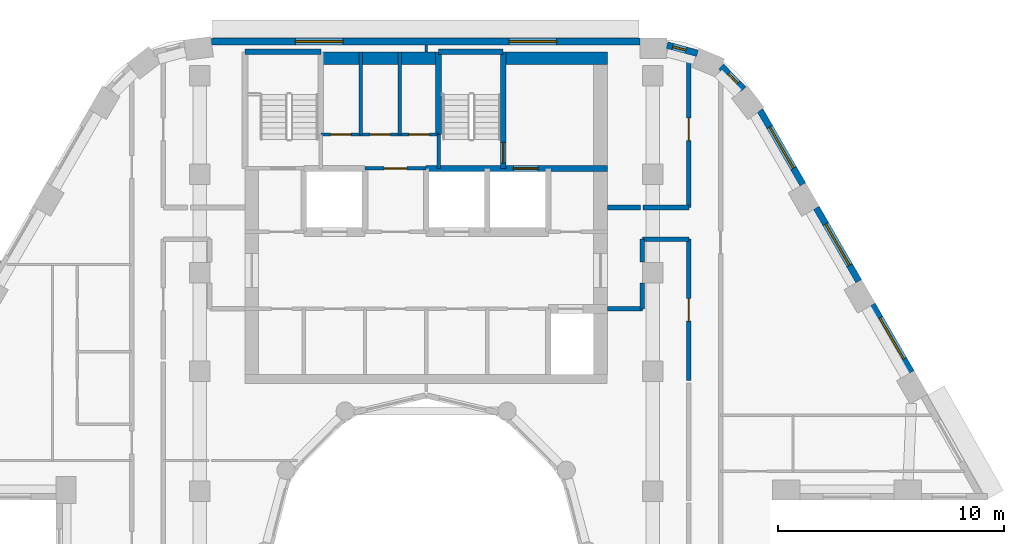
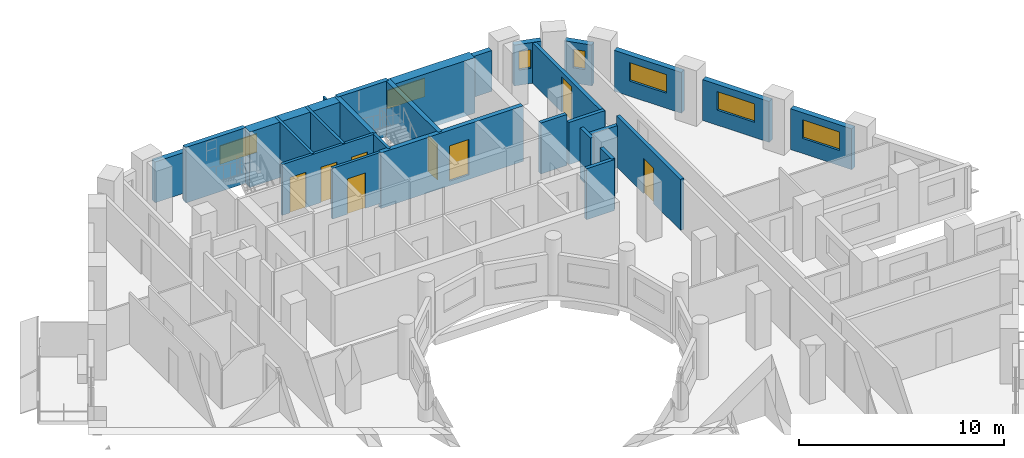
# One storey, part 9 of 17: 27 walls, 8 doors, 7 windows, 15 openings.
"""IFC4 building model written with IfcOpenShell, lengths in metres."""

from ifc_helpers import new_model, si_unit, direction, frame, frame_2d, origin, place, context, subcontext, project, spatial, rectangle, extrude, material, layer, layer_set, type_object, element, fill, save


model = new_model("IFC4")

# Units and contexts
model_context = context("Model", 3, precision=1e-05, world=origin(), true_north=direction((0.0, 1.0)))
body_context = subcontext(model_context, "Body", "Model", "MODEL_VIEW")
ifc_project = project(units=[si_unit("LENGTHUNIT", "METRE"), si_unit("AREAUNIT", "SQUARE_METRE"), si_unit("VOLUMEUNIT", "CUBIC_METRE"), si_unit("PLANEANGLEUNIT", "RADIAN"), si_unit("MASSUNIT", "GRAM", prefix="KILO")], contexts=[model_context])

# Site, building, storey
site_placement = place(None, origin())
site = spatial("IfcSite", under=ifc_project, at=site_placement, CompositionType="ELEMENT")
building_placement = place(site_placement, origin())
building = spatial("IfcBuilding", under=site, at=building_placement, Name="Nakaniwa Court", CompositionType="ELEMENT")
storey_placement = place(building_placement, frame((0.0, 0.0, 206.39990234375)))
storey = spatial("IfcBuildingStorey", under=building, at=storey_placement, Name="L54", CompositionType="ELEMENT", Elevation=206.39990234375)

# Wall, opening, door
ifc_material_1 = material(Name="Acoustic double stud partition")
ifc_layer_1 = layer(ifc_material_1, 0.199951171875)
ifc_layer_set_1 = layer_set([ifc_layer_1], Name="Acoustic double stud partition")
wall_type_1 = type_object("IfcWallType", Name="Acoustic double stud partition 200", PredefinedType="PARTITIONING", material=ifc_layer_set_1)
wall_1_placement = place(storey_placement, frame((91.60009765625, 87.537109375, 0.0), z_axis=(0.0, 0.0, 1.0), x_axis=(0.0, 1.0, 0.0)))
wall_1 = element("IfcWall", 1, at=wall_1_placement, inside=storey, type_object=wall_type_1, Name="Partition PW-078", PredefinedType="PARTITIONING", context=body_context, shape_type="SweptSolid", body=[
    extrude(rectangle(XDim=6.23779296875, YDim=0.199951171875, at=frame_2d((3.118896484375, 0.0))), origin(), (0.0, 0.0, 1.0), 3.025146484375),
])
opening_1_placement = place(wall_1_placement, frame((2.6201171875, 0.0, 0.0)))
opening_1 = element("IfcOpeningElement", 2, at=opening_1_placement, cuts=wall_1, Name="Opening D-02-08", PredefinedType="OPENING", context=body_context, shape_type="SweptSolid", body=[
    extrude(rectangle(XDim=1.0, YDim=2.10009765625, at=frame_2d((0.5, 1.050048828125))), frame((0.0, 0.10986328125, 0.0), z_axis=(0.0, -1.0, 0.0), x_axis=(1.0, 0.0, 0.0)), (0.0, 0.0, 1.0), 0.219970703125),
])
ifc_material_2 = material(Name="Solid core timber door set, black veneer", Category="wood")
door_type_1 = type_object("IfcDoorType", Name="Internal door 1000", OperationType="NOTDEFINED", PredefinedType="DOOR", material=ifc_material_2)
door_1_placement = place(opening_1_placement, origin())
door_1 = element("IfcDoor", 3, at=door_1_placement, inside=storey, type_object=door_type_1, Name="Door D-02-08 L54-057", OperationType="SINGLE_SWING_RIGHT", OverallHeight=2.10009765625, OverallWidth=1.0, PredefinedType="DOOR", context=body_context, shape_type="SweptSolid", body=[
    extrude(rectangle(XDim=1.0, YDim=2.10009765625, at=frame_2d((0.5, 1.050048828125))), frame((0.0, 0.02490234375, 0.0), z_axis=(0.0, -1.0, 0.0), x_axis=(1.0, 0.0, 0.0)), (0.0, 0.0, 1.0), 0.050048828125),
])
fill(opening_1, door_1)

wall_2_placement = place(storey_placement, frame((91.60009765625, 95.175048828125, 0.0), z_axis=(0.0, 0.0, 1.0), x_axis=(0.0, 1.0, 0.0)))
wall_2 = element("IfcWall", 4, at=wall_2_placement, inside=storey, type_object=wall_type_1, Name="Partition PW-079", PredefinedType="PARTITIONING", context=body_context, shape_type="SweptSolid", body=[
    extrude(rectangle(XDim=6.898681640625, YDim=0.199951171875, at=frame_2d((3.44921875, 0.0))), origin(), (0.0, 0.0, 1.0), 2.405029296875),
])
opening_2_placement = place(wall_2_placement, frame((2.949951171875, 0.0, 0.0)))
opening_2 = element("IfcOpeningElement", 5, at=opening_2_placement, cuts=wall_2, Name="Opening D-02-09", PredefinedType="OPENING", context=body_context, shape_type="SweptSolid", body=[
    extrude(rectangle(XDim=1.0, YDim=2.10009765625, at=frame_2d((0.5, 1.050048828125))), frame((0.0, 0.10986328125, 0.0), z_axis=(0.0, -1.0, 0.0), x_axis=(1.0, 0.0, 0.0)), (0.0, 0.0, 1.0), 0.219970703125),
])
door_2_placement = place(opening_2_placement, origin())
door_2 = element("IfcDoor", 6, at=door_2_placement, inside=storey, type_object=door_type_1, Name="Door D-02-09 L54-058", OperationType="SINGLE_SWING_LEFT", OverallHeight=2.10009765625, OverallWidth=1.0, PredefinedType="DOOR", context=body_context, shape_type="SweptSolid", body=[
    extrude(rectangle(XDim=1.0, YDim=2.10009765625, at=frame_2d((0.5, 1.050048828125))), frame((0.0, 0.02490234375, 0.0), z_axis=(0.0, -1.0, 0.0), x_axis=(1.0, 0.0, 0.0)), (0.0, 0.0, 1.0), 0.050048828125),
])
fill(opening_2, door_2)

# Walls
wall_3_placement = place(storey_placement, frame((89.550048828125, 90.699951171875, 0.0), z_axis=(0.0, 0.0, 1.0), x_axis=(0.0, 1.0, 0.0)))
element("IfcWall", 7, at=wall_3_placement, inside=storey, type_object=wall_type_1, Name="Partition PW-089", PredefinedType="PARTITIONING", context=body_context, shape_type="SweptSolid", body=[
    extrude(rectangle(XDim=1.1328125, YDim=0.199951171875, at=frame_2d((0.56640625, 0.0))), origin(), (0.0, 0.0, 1.0), 3.025146484375),
])
wall_4_placement = place(storey_placement, frame((89.550048828125, 92.76708984375, 0.0), z_axis=(0.0, 0.0, 1.0), x_axis=(0.0, 1.0, 0.0)))
element("IfcWall", 8, at=wall_4_placement, inside=storey, type_object=wall_type_1, Name="Partition PW-090", PredefinedType="PARTITIONING", context=body_context, shape_type="SweptSolid", body=[
    extrude(rectangle(XDim=1.0078125, YDim=0.199951171875, at=frame_2d((0.50390625, 0.0))), origin(), (0.0, 0.0, 1.0), 3.025146484375),
])
wall_5_placement = place(storey_placement, frame((89.550048828125, 93.77490234375, 0.0), z_axis=(0.0, 0.0, 1.0), x_axis=(1.0, 0.0, 0.0)))
element("IfcWall", 9, at=wall_5_placement, inside=storey, type_object=wall_type_1, Name="Partition PW-094", PredefinedType="PARTITIONING", context=body_context, shape_type="SweptSolid", body=[
    extrude(rectangle(XDim=2.050048828125, YDim=0.199951171875, at=frame_2d((1.02490234375, 0.0))), origin(), (0.0, 0.0, 1.0), 2.505126953125),
])
wall_6_placement = place(storey_placement, frame((88.0, 90.699951171875, 0.0), z_axis=(0.0, 0.0, 1.0), x_axis=(1.0, 0.0, 0.0)))
element("IfcWall", 10, at=wall_6_placement, inside=storey, type_object=wall_type_1, Name="Partition PW-096", PredefinedType="PARTITIONING", context=body_context, shape_type="SweptSolid", body=[
    extrude(rectangle(XDim=1.550048828125, YDim=0.199951171875, at=frame_2d((0.77490234375, 0.0))), origin(), (0.0, 0.0, 1.0), 3.025146484375),
])
wall_7_placement = place(storey_placement, frame((88.0, 95.175048828125, 0.0), z_axis=(0.0, 0.0, 1.0), x_axis=(1.0, 0.0, 0.0)))
element("IfcWall", 11, at=wall_7_placement, inside=storey, type_object=wall_type_1, Name="Partition PW-099", PredefinedType="PARTITIONING", context=body_context, shape_type="SweptSolid", body=[
    extrude(rectangle(XDim=1.472900390625, YDim=0.199951171875, at=frame_2d((0.736328125, 0.0))), origin(), (0.0, 0.0, 1.0), 3.025146484375),
])
wall_8_placement = place(storey_placement, frame((89.587158203125, 95.175048828125, 0.0), z_axis=(0.0, 0.0, 1.0), x_axis=(1.0, 0.0, 0.0)))
element("IfcWall", 12, at=wall_8_placement, inside=storey, type_object=wall_type_1, Name="Partition PW-100", PredefinedType="PARTITIONING", context=body_context, shape_type="SweptSolid", body=[
    extrude(rectangle(XDim=2.012939453125, YDim=0.199951171875, at=frame_2d((1.00634765625, 0.0))), origin(), (0.0, 0.0, 1.0), 2.505126953125),
])

# Wall, opening, window
ifc_material_3 = material(Name="Charcoal ceramic cladding")
ifc_layer_2 = layer(ifc_material_3, 0.02, Name="Ceramic cladding")
ifc_material_4 = material(Name="Ventilated air cavity")
ifc_layer_3 = layer(ifc_material_4, 0.04, ventilated=True, Name="Ventilated cavity")
ifc_material_5 = material(Name="Mineral wool insulation")
ifc_layer_4 = layer(ifc_material_5, 0.1, Name="Insulation")
ifc_material_6 = material(Name="Cement bonded sheathing board")
ifc_layer_5 = layer(ifc_material_6, 0.012, Name="Sheathing")
ifc_material_7 = material(Name="Cold-formed galvanised stud frame with mineral wool infill")
ifc_layer_6 = layer(ifc_material_7, 0.1, Name="Stud frame")
ifc_material_8 = material(Name="Fire-rated gypsum plasterboard lining")
ifc_layer_7 = layer(ifc_material_8, 0.028, Name="Lining")
ifc_layer_set_2 = layer_set([ifc_layer_2, ifc_layer_3, ifc_layer_4, ifc_layer_5, ifc_layer_6, ifc_layer_7], Name="Charcoal ceramic faced external wall system")
wall_type_2 = type_object("IfcWallType", Name="Black ceramic faced external wall 300", PredefinedType="SOLIDWALL", material=ifc_layer_set_2)
wall_9_placement = place(storey_placement, frame((101.420654296875, 87.898193359375, 0.0), z_axis=(0.0, 0.0, 1.0), x_axis=(-0.499955427682, 0.866051136095, 0.0)))
wall_9 = element("IfcWall", 13, at=wall_9_placement, inside=storey, type_object=wall_type_2, Name="L54 external wall 03", PredefinedType="SOLIDWALL", context=body_context, shape_type="SweptSolid", body=[
    extrude(rectangle(XDim=3.447021484375, YDim=0.300048828125, at=frame_2d((1.7236328125, 0.0))), origin(), (0.0, 0.0, 1.0), 2.425048828125),
])
opening_3_placement = place(wall_9_placement, frame((0.673583984375, 0.0, 0.89990234375)))
opening_3 = element("IfcOpeningElement", 14, at=opening_3_placement, cuts=wall_9, Name="Opening W7.04", PredefinedType="OPENING", context=body_context, shape_type="SweptSolid", body=[
    extrude(rectangle(XDim=2.10009765625, YDim=1.10009765625, at=frame_2d((1.050048828125, 0.550048828125))), frame((0.0, 0.159912109375, 0.0), z_axis=(0.0, -1.0, 0.0), x_axis=(1.0, 0.0, 0.0)), (0.0, 0.0, 1.0), 0.320068359375),
])
ifc_material_9 = material(Name="Black anodised aluminium frame with dark low-E laminated double glazing", Category="aluminium")
window_type_1 = type_object("IfcWindowType", Name="Dark glass window 2100x1100 sill 900", PartitioningType="SINGLE_PANEL", PredefinedType="WINDOW", material=ifc_material_9)
window_1_placement = place(opening_3_placement, origin())
window_1 = element("IfcWindow", 15, at=window_1_placement, inside=storey, type_object=window_type_1, Name="L54 habitable room window 03-0", OverallHeight=1.10009765625, OverallWidth=2.10009765625, PartitioningType="SINGLE_PANEL", PredefinedType="WINDOW", context=body_context, shape_type="SweptSolid", body=[
    extrude(rectangle(XDim=2.10009765625, YDim=1.10009765625, at=frame_2d((1.050048828125, 0.550048828125))), frame((0.0, 0.030029296875, 0.0), z_axis=(0.0, -1.0, 0.0), x_axis=(1.0, 0.0, 0.0)), (0.0, 0.0, 1.0), 0.06005859375),
])
fill(opening_3, window_1)

wall_10_placement = place(storey_placement, frame((99.101318359375, 91.916015625, 0.0), z_axis=(0.0, 0.0, 1.0), x_axis=(-0.500059225181, 0.86599120741, 0.0)))
wall_10 = element("IfcWall", 16, at=wall_10_placement, inside=storey, type_object=wall_type_2, Name="L54 external wall 04", PredefinedType="SOLIDWALL", context=body_context, shape_type="SweptSolid", body=[
    extrude(rectangle(XDim=3.744140625, YDim=0.300048828125, at=frame_2d((1.8720703125, 0.0))), origin(), (0.0, 0.0, 1.0), 2.425048828125),
])
opening_4_placement = place(wall_10_placement, frame((0.822021484375, 0.0, 0.89990234375)))
opening_4 = element("IfcOpeningElement", 17, at=opening_4_placement, cuts=wall_10, Name="Opening W7.05", PredefinedType="OPENING", context=body_context, shape_type="SweptSolid", body=[
    extrude(rectangle(XDim=2.10009765625, YDim=1.10009765625, at=frame_2d((1.050048828125, 0.550048828125))), frame((0.0, 0.159912109375, 0.0), z_axis=(0.0, -1.0, 0.0), x_axis=(1.0, 0.0, 0.0)), (0.0, 0.0, 1.0), 0.320068359375),
])
window_2_placement = place(opening_4_placement, origin())
window_2 = element("IfcWindow", 18, at=window_2_placement, inside=storey, type_object=window_type_1, Name="L54 habitable room window 04-0", OverallHeight=1.10009765625, OverallWidth=2.10009765625, PartitioningType="SINGLE_PANEL", PredefinedType="WINDOW", context=body_context, shape_type="SweptSolid", body=[
    extrude(rectangle(XDim=2.10009765625, YDim=1.10009765625, at=frame_2d((1.050048828125, 0.550048828125))), frame((0.0, 0.030029296875, 0.0), z_axis=(0.0, -1.0, 0.0), x_axis=(1.0, 0.0, 0.0)), (0.0, 0.0, 1.0), 0.06005859375),
])
fill(opening_4, window_2)

wall_11_placement = place(storey_placement, frame((96.633056640625, 96.190673828125, 0.0), z_axis=(0.0, 0.0, 1.0), x_axis=(-0.499961087031, 0.866047869032, 0.0)))
wall_11 = element("IfcWall", 19, at=wall_11_placement, inside=storey, type_object=wall_type_2, Name="L54 external wall 05", PredefinedType="SOLIDWALL", context=body_context, shape_type="SweptSolid", body=[
    extrude(rectangle(XDim=3.778564453125, YDim=0.300048828125, at=frame_2d((1.88916015625, 0.0))), origin(), (0.0, 0.0, 1.0), 2.425048828125),
])
opening_5_placement = place(wall_11_placement, frame((0.827880859375, 0.0, 0.89990234375)))
opening_5 = element("IfcOpeningElement", 20, at=opening_5_placement, cuts=wall_11, Name="Opening W7.06", PredefinedType="OPENING", context=body_context, shape_type="SweptSolid", body=[
    extrude(rectangle(XDim=2.10009765625, YDim=1.10009765625, at=frame_2d((1.050048828125, 0.550048828125))), frame((0.0, 0.159912109375, 0.0), z_axis=(0.0, -1.0, 0.0), x_axis=(1.0, 0.0, 0.0)), (0.0, 0.0, 1.0), 0.320068359375),
])
window_3_placement = place(opening_5_placement, origin())
window_3 = element("IfcWindow", 21, at=window_3_placement, inside=storey, type_object=window_type_1, Name="L54 habitable room window 05-0", OverallHeight=1.10009765625, OverallWidth=2.10009765625, PartitioningType="SINGLE_PANEL", PredefinedType="WINDOW", context=body_context, shape_type="SweptSolid", body=[
    extrude(rectangle(XDim=2.10009765625, YDim=1.10009765625, at=frame_2d((1.050048828125, 0.550048828125))), frame((0.0, 0.030029296875, 0.0), z_axis=(0.0, -1.0, 0.0), x_axis=(1.0, 0.0, 0.0)), (0.0, 0.0, 1.0), 0.06005859375),
])
fill(opening_5, window_3)

wall_12_placement = place(storey_placement, frame((94.009033203125, 100.40185546875, 0.0), z_axis=(0.0, 0.0, 1.0), x_axis=(-0.69817596362, 0.715926199984, 0.0)))
wall_12 = element("IfcWall", 22, at=wall_12_placement, inside=storey, type_object=wall_type_2, Name="L54 external wall 06", PredefinedType="SOLIDWALL", context=body_context, shape_type="SweptSolid", body=[
    extrude(rectangle(XDim=1.40283203125, YDim=0.300048828125, at=frame_2d((0.701416015625, 0.0))), origin(), (0.0, 0.0, 1.0), 2.425048828125),
])
opening_6_placement = place(wall_12_placement, frame((0.35986328125, 0.0, 0.89990234375)))
opening_6 = element("IfcOpeningElement", 23, at=opening_6_placement, cuts=wall_12, Name="Opening W8.07", PredefinedType="OPENING", context=body_context, shape_type="SweptSolid", body=[
    extrude(rectangle(XDim=0.60009765625, YDim=1.10009765625, at=frame_2d((0.300048828125, 0.550048828125))), frame((0.0, 0.159912109375, 0.0), z_axis=(0.0, -1.0, 0.0), x_axis=(1.0, 0.0, 0.0)), (0.0, 0.0, 1.0), 0.320068359375),
])
window_type_2 = type_object("IfcWindowType", Name="Dark glass window 600x1100 sill 900", PartitioningType="SINGLE_PANEL", PredefinedType="WINDOW", material=ifc_material_9)
window_4_placement = place(opening_6_placement, origin())
window_4 = element("IfcWindow", 24, at=window_4_placement, inside=storey, type_object=window_type_2, Name="L54 habitable room window 06-0", OverallHeight=1.10009765625, OverallWidth=0.60009765625, PartitioningType="SINGLE_PANEL", PredefinedType="WINDOW", context=body_context, shape_type="SweptSolid", body=[
    extrude(rectangle(XDim=0.60009765625, YDim=1.10009765625, at=frame_2d((0.300048828125, 0.550048828125))), frame((0.0, 0.030029296875, 0.0), z_axis=(0.0, -1.0, 0.0), x_axis=(1.0, 0.0, 0.0)), (0.0, 0.0, 1.0), 0.06005859375),
])
fill(opening_6, window_4)

wall_13_placement = place(storey_placement, frame((91.977294921875, 101.981201171875, 0.0), z_axis=(0.0, 0.0, 1.0), x_axis=(-0.965315341278, 0.261086751661, 0.0)))
wall_13 = element("IfcWall", 25, at=wall_13_placement, inside=storey, type_object=wall_type_2, Name="L54 external wall 07", PredefinedType="SOLIDWALL", context=body_context, shape_type="SweptSolid", body=[
    extrude(rectangle(XDim=1.384033203125, YDim=0.300048828125, at=frame_2d((0.69189453125, 0.0))), origin(), (0.0, 0.0, 1.0), 2.425048828125),
])
opening_7_placement = place(wall_13_placement, frame((0.529296875, 0.0, 0.89990234375)))
opening_7 = element("IfcOpeningElement", 26, at=opening_7_placement, cuts=wall_13, Name="Opening W8.08", PredefinedType="OPENING", context=body_context, shape_type="SweptSolid", body=[
    extrude(rectangle(XDim=0.60009765625, YDim=1.10009765625, at=frame_2d((0.300048828125, 0.550048828125))), frame((0.0, 0.159912109375, 0.0), z_axis=(0.0, -1.0, 0.0), x_axis=(1.0, 0.0, 0.0)), (0.0, 0.0, 1.0), 0.320068359375),
])
window_5_placement = place(opening_7_placement, origin())
window_5 = element("IfcWindow", 27, at=window_5_placement, inside=storey, type_object=window_type_2, Name="L54 habitable room window 07-1", OverallHeight=1.10009765625, OverallWidth=0.60009765625, PartitioningType="SINGLE_PANEL", PredefinedType="WINDOW", context=body_context, shape_type="SweptSolid", body=[
    extrude(rectangle(XDim=0.60009765625, YDim=1.10009765625, at=frame_2d((0.300048828125, 0.550048828125))), frame((0.0, 0.030029296875, 0.0), z_axis=(0.0, -1.0, 0.0), x_axis=(1.0, 0.0, 0.0)), (0.0, 0.0, 1.0), 0.06005859375),
])
fill(opening_7, window_5)

# Wall, openings, windows
wall_14_placement = place(storey_placement, frame((89.44921875, 102.5, 0.0), z_axis=(0.0, 0.0, 1.0), x_axis=(-1.0, 0.0, 0.0)))
wall_14 = element("IfcWall", 28, at=wall_14_placement, inside=storey, type_object=wall_type_2, Name="L54 external wall 08", PredefinedType="SOLIDWALL", context=body_context, shape_type="SweptSolid", body=[
    extrude(rectangle(XDim=18.932861328125, YDim=0.300048828125, at=frame_2d((9.46630859375, 0.0))), origin(), (0.0, 0.0, 1.0), 2.425048828125),
])
opening_8_placement = place(wall_14_placement, frame((3.6865234375, 0.0, 0.89990234375)))
opening_8 = element("IfcOpeningElement", 29, at=opening_8_placement, cuts=wall_14, Name="Opening W7.09", PredefinedType="OPENING", context=body_context, shape_type="SweptSolid", body=[
    extrude(rectangle(XDim=2.10009765625, YDim=1.10009765625, at=frame_2d((1.050048828125, 0.550048828125))), frame((0.0, 0.159912109375, 0.0), z_axis=(0.0, -1.0, 0.0), x_axis=(1.0, 0.0, 0.0)), (0.0, 0.0, 1.0), 0.320068359375),
])
opening_9_placement = place(wall_14_placement, frame((13.117919921875, 0.0, 0.89990234375)))
opening_9 = element("IfcOpeningElement", 30, at=opening_9_placement, cuts=wall_14, Name="Opening W7.10", PredefinedType="OPENING", context=body_context, shape_type="SweptSolid", body=[
    extrude(rectangle(XDim=2.10009765625, YDim=1.10009765625, at=frame_2d((1.050048828125, 0.550048828125))), frame((0.0, 0.159912109375, 0.0), z_axis=(0.0, -1.0, 0.0), x_axis=(1.0, 0.0, 0.0)), (0.0, 0.0, 1.0), 0.320068359375),
])
window_6_placement = place(opening_8_placement, origin())
window_6 = element("IfcWindow", 31, at=window_6_placement, inside=storey, type_object=window_type_1, Name="L54 habitable room window 08-0", OverallHeight=1.10009765625, OverallWidth=2.10009765625, PartitioningType="SINGLE_PANEL", PredefinedType="WINDOW", context=body_context, shape_type="SweptSolid", body=[
    extrude(rectangle(XDim=2.10009765625, YDim=1.10009765625, at=frame_2d((1.050048828125, 0.550048828125))), frame((0.0, 0.030029296875, 0.0), z_axis=(0.0, -1.0, 0.0), x_axis=(1.0, 0.0, 0.0)), (0.0, 0.0, 1.0), 0.06005859375),
])
fill(opening_8, window_6)
window_7_placement = place(opening_9_placement, origin())
window_7 = element("IfcWindow", 32, at=window_7_placement, inside=storey, type_object=window_type_1, Name="L54 habitable room window 08-1", OverallHeight=1.10009765625, OverallWidth=2.10009765625, PartitioningType="SINGLE_PANEL", PredefinedType="WINDOW", context=body_context, shape_type="SweptSolid", body=[
    extrude(rectangle(XDim=2.10009765625, YDim=1.10009765625, at=frame_2d((1.050048828125, 0.550048828125))), frame((0.0, 0.030029296875, 0.0), z_axis=(0.0, -1.0, 0.0), x_axis=(1.0, 0.0, 0.0)), (0.0, 0.0, 1.0), 0.06005859375),
])
fill(opening_9, window_7)

# Wall, opening, door
ifc_material_10 = material(Name="Blockwork partition", Category="masonry")
ifc_layer_8 = layer(ifc_material_10, 0.14990234375)
ifc_layer_set_3 = layer_set([ifc_layer_8], Name="Blockwork partition")
wall_type_3 = type_object("IfcWallType", Name="Blockwork partition 150", PredefinedType="PARTITIONING", material=ifc_layer_set_3)
wall_15_placement = place(storey_placement, frame((77.300048828125, 96.89990234375, 0.0), z_axis=(0.0, 0.0, 1.0), x_axis=(1.0, 0.0, 0.0)))
wall_15 = element("IfcWall", 33, at=wall_15_placement, inside=storey, type_object=wall_type_3, Name="Partition PW-022", PredefinedType="PARTITIONING", context=body_context, shape_type="SweptSolid", body=[
    extrude(rectangle(XDim=2.699951171875, YDim=0.14990234375, at=frame_2d((1.35009765625, 0.0))), origin(), (0.0, 0.0, 1.0), 3.025146484375),
])
opening_10_placement = place(wall_15_placement, frame((0.85009765625, 0.0, 0.0)))
opening_10 = element("IfcOpeningElement", 34, at=opening_10_placement, cuts=wall_15, Name="Opening D-23-01", PredefinedType="OPENING", context=body_context, shape_type="SweptSolid", body=[
    extrude(rectangle(XDim=1.0, YDim=2.10009765625, at=frame_2d((0.5, 1.050048828125))), frame((0.0, 0.0849609375, 0.0), z_axis=(0.0, -1.0, 0.0), x_axis=(1.0, 0.0, 0.0)), (0.0, 0.0, 1.0), 0.169921875),
])
ifc_material_11 = material(Name="Fire rated steel door set", Category="steel")
door_type_2 = type_object("IfcDoorType", Name="Service room door 1000", OperationType="NOTDEFINED", PredefinedType="DOOR", material=ifc_material_11)
door_3_placement = place(opening_10_placement, origin())
door_3 = element("IfcDoor", 35, at=door_3_placement, inside=storey, type_object=door_type_2, Name="Door D-23-01 L54-009", OperationType="SINGLE_SWING_RIGHT", OverallHeight=2.10009765625, OverallWidth=1.0, PredefinedType="DOOR", context=body_context, shape_type="SweptSolid", body=[
    extrude(rectangle(XDim=1.0, YDim=2.10009765625, at=frame_2d((0.5, 1.050048828125))), frame((0.0, 0.02490234375, 0.0), z_axis=(0.0, -1.0, 0.0), x_axis=(1.0, 0.0, 0.0)), (0.0, 0.0, 1.0), 0.050048828125),
])
fill(opening_10, door_3)

# Wall, openings, doors
wall_16_placement = place(storey_placement, frame((75.35009765625, 98.39990234375, 0.0), z_axis=(0.0, 0.0, 1.0), x_axis=(1.0, 0.0, 0.0)))
wall_16 = element("IfcWall", 36, at=wall_16_placement, inside=storey, type_object=wall_type_3, Name="Partition PW-034", PredefinedType="PARTITIONING", context=body_context, shape_type="SweptSolid", body=[
    extrude(rectangle(XDim=5.199951171875, YDim=0.14990234375, at=frame_2d((2.60009765625, 0.0))), origin(), (0.0, 0.0, 1.0), 3.025146484375),
])
opening_11_placement = place(wall_16_placement, frame((0.43408203125, 0.0, 0.0)))
opening_11 = element("IfcOpeningElement", 37, at=opening_11_placement, cuts=wall_16, Name="Opening D-05-07", PredefinedType="OPENING", context=body_context, shape_type="SweptSolid", body=[
    extrude(rectangle(XDim=0.89990234375, YDim=2.10009765625, at=frame_2d((0.449951171875, 1.050048828125))), frame((0.0, 0.0849609375, 0.0), z_axis=(0.0, -1.0, 0.0), x_axis=(1.0, 0.0, 0.0)), (0.0, 0.0, 1.0), 0.169921875),
])
opening_12_placement = place(wall_16_placement, frame((2.176025390625, 0.0, 0.0)))
opening_12 = element("IfcOpeningElement", 38, at=opening_12_placement, cuts=wall_16, Name="Opening D-05-08", PredefinedType="OPENING", context=body_context, shape_type="SweptSolid", body=[
    extrude(rectangle(XDim=0.89990234375, YDim=2.10009765625, at=frame_2d((0.449951171875, 1.050048828125))), frame((0.0, 0.0849609375, 0.0), z_axis=(0.0, -1.0, 0.0), x_axis=(1.0, 0.0, 0.0)), (0.0, 0.0, 1.0), 0.169921875),
])
opening_13_placement = place(wall_16_placement, frame((3.89208984375, 0.0, 0.0)))
opening_13 = element("IfcOpeningElement", 39, at=opening_13_placement, cuts=wall_16, Name="Opening D-05-09", PredefinedType="OPENING", context=body_context, shape_type="SweptSolid", body=[
    extrude(rectangle(XDim=0.89990234375, YDim=2.10009765625, at=frame_2d((0.449951171875, 1.050048828125))), frame((0.0, 0.0849609375, 0.0), z_axis=(0.0, -1.0, 0.0), x_axis=(1.0, 0.0, 0.0)), (0.0, 0.0, 1.0), 0.169921875),
])
door_type_3 = type_object("IfcDoorType", Name="Service room door 900", OperationType="NOTDEFINED", PredefinedType="DOOR", material=ifc_material_11)
door_4_placement = place(opening_11_placement, origin())
door_4 = element("IfcDoor", 40, at=door_4_placement, inside=storey, type_object=door_type_3, Name="Door D-05-07 L54-010", OperationType="SINGLE_SWING_LEFT", OverallHeight=2.10009765625, OverallWidth=0.89990234375, PredefinedType="DOOR", context=body_context, shape_type="SweptSolid", body=[
    extrude(rectangle(XDim=0.89990234375, YDim=2.10009765625, at=frame_2d((0.449951171875, 1.050048828125))), frame((0.0, 0.02490234375, 0.0), z_axis=(0.0, -1.0, 0.0), x_axis=(1.0, 0.0, 0.0)), (0.0, 0.0, 1.0), 0.050048828125),
])
fill(opening_11, door_4)
door_5_placement = place(opening_12_placement, origin())
door_5 = element("IfcDoor", 41, at=door_5_placement, inside=storey, type_object=door_type_3, Name="Door D-05-08 L54-011", OperationType="SINGLE_SWING_RIGHT", OverallHeight=2.10009765625, OverallWidth=0.89990234375, PredefinedType="DOOR", context=body_context, shape_type="SweptSolid", body=[
    extrude(rectangle(XDim=0.89990234375, YDim=2.10009765625, at=frame_2d((0.449951171875, 1.050048828125))), frame((0.0, 0.02490234375, 0.0), z_axis=(0.0, -1.0, 0.0), x_axis=(1.0, 0.0, 0.0)), (0.0, 0.0, 1.0), 0.050048828125),
])
fill(opening_12, door_5)
door_6_placement = place(opening_13_placement, origin())
door_6 = element("IfcDoor", 42, at=door_6_placement, inside=storey, type_object=door_type_3, Name="Door D-05-09 L54-012", OperationType="SINGLE_SWING_LEFT", OverallHeight=2.10009765625, OverallWidth=0.89990234375, PredefinedType="DOOR", context=body_context, shape_type="SweptSolid", body=[
    extrude(rectangle(XDim=0.89990234375, YDim=2.10009765625, at=frame_2d((0.449951171875, 1.050048828125))), frame((0.0, 0.02490234375, 0.0), z_axis=(0.0, -1.0, 0.0), x_axis=(1.0, 0.0, 0.0)), (0.0, 0.0, 1.0), 0.050048828125),
])
fill(opening_13, door_6)

# Walls
for number, where, z_axis, x_axis, name in (
    (43, (77.117919921875, 98.39990234375, 0.0), (0.0, 0.0, 1.0), (0.0, 1.0, 0.0), "Partition PW-035"),
    (44, (78.833984375, 98.39990234375, 0.0), (0.0, 0.0, 1.0), (0.0, 1.0, 0.0), "Partition PW-036"),
):
    element("IfcWall", number, at=place(storey_placement, frame(where, z_axis=z_axis, x_axis=x_axis)), inside=storey, type_object=wall_type_3, Name=name, PredefinedType="PARTITIONING", context=body_context, shape_type="SweptSolid", body=[
        extrude(rectangle(XDim=3.650146484375, YDim=0.14990234375, at=frame_2d((1.8251953125, 0.0))), origin(), (0.0, 0.0, 1.0), 3.025146484375),
    ])
ifc_material_12 = material(Name="Concrete C80/100", Category="concrete")
ifc_layer_9 = layer(ifc_material_12, 0.14990234375)
ifc_layer_set_4 = layer_set([ifc_layer_9], Name="Concrete C80/100")
wall_type_4 = type_object("IfcWallType", Name="Concrete core wall 150 C80", PredefinedType="SHEAR", material=ifc_layer_set_4)
wall_17_placement = place(storey_placement, frame((80.550048828125, 96.89990234375, -0.27490234375), z_axis=(0.0, 0.0, 1.0), x_axis=(0.0, 1.0, 0.0)))
element("IfcWall", 45, at=wall_17_placement, inside=storey, type_object=wall_type_4, Name="Core wall SW-30", PredefinedType="SHEAR", context=body_context, shape_type="SweptSolid", body=[
    extrude(rectangle(XDim=1.503173828125, YDim=0.14990234375, at=frame_2d((0.75146484375, 0.0))), origin(), (0.0, 0.0, 1.0), 3.300048828125),
])
ifc_layer_10 = layer(ifc_material_12, 0.25)
ifc_layer_set_5 = layer_set([ifc_layer_10], Name="Concrete C80/100")
wall_type_5 = type_object("IfcWallType", Name="Concrete core wall 250 C80", PredefinedType="SHEAR", material=ifc_layer_set_5)
wall_18_placement = place(storey_placement, frame((72.0, 102.050048828125, -0.27490234375), z_axis=(0.0, 0.0, 1.0), x_axis=(1.0, 0.0, 0.0)))
element("IfcWall", 46, at=wall_18_placement, inside=storey, type_object=wall_type_5, Name="Core wall SW-26", PredefinedType="SHEAR", context=body_context, shape_type="SweptSolid", body=[
    extrude(rectangle(XDim=3.35009765625, YDim=0.25, at=frame_2d((1.675048828125, 0.0))), origin(), (0.0, 0.0, 1.0), 3.300048828125),
])
wall_19_placement = place(storey_placement, frame((80.550048828125, 102.050048828125, -0.27490234375), z_axis=(0.0, 0.0, 1.0), x_axis=(1.0, 0.0, 0.0)))
element("IfcWall", 47, at=wall_19_placement, inside=storey, type_object=wall_type_5, Name="Core wall SW-27", PredefinedType="SHEAR", context=body_context, shape_type="SweptSolid", body=[
    extrude(rectangle(XDim=2.849853515625, YDim=0.25, at=frame_2d((1.4248046875, 0.0))), origin(), (0.0, 0.0, 1.0), 3.300048828125),
])
ifc_layer_11 = layer(ifc_material_12, 0.550048828125)
ifc_layer_set_6 = layer_set([ifc_layer_11], Name="Concrete C80/100")
wall_type_6 = type_object("IfcWallType", Name="Concrete core wall 550 C80", PredefinedType="SHEAR", material=ifc_layer_set_6)
wall_20_placement = place(storey_placement, frame((75.35009765625, 101.77490234375, -0.27490234375), z_axis=(0.0, 0.0, 1.0), x_axis=(1.0, 0.0, 0.0)))
element("IfcWall", 48, at=wall_20_placement, inside=storey, type_object=wall_type_6, Name="Core wall SW-32", PredefinedType="SHEAR", context=body_context, shape_type="SweptSolid", body=[
    extrude(rectangle(XDim=5.199951171875, YDim=0.550048828125, at=frame_2d((2.60009765625, 0.0))), origin(), (0.0, 0.0, 1.0), 3.300048828125),
])
wall_21_placement = place(storey_placement, frame((83.39990234375, 101.77490234375, -0.27490234375), z_axis=(0.0, 0.0, 1.0), x_axis=(1.0, 0.0, 0.0)))
element("IfcWall", 49, at=wall_21_placement, inside=storey, type_object=wall_type_6, Name="Core wall SW-33", PredefinedType="SHEAR", context=body_context, shape_type="SweptSolid", body=[
    extrude(rectangle(XDim=4.60009765625, YDim=0.550048828125, at=frame_2d((2.300048828125, 0.0))), origin(), (0.0, 0.0, 1.0), 3.300048828125),
])

# Wall, opening, door
ifc_layer_12 = layer(ifc_material_12, 0.25)
ifc_layer_set_7 = layer_set([ifc_layer_12], Name="Concrete C80/100")
wall_type_7 = type_object("IfcWallType", Name="Concrete shaft wall 250 C80", PredefinedType="SHEAR", material=ifc_layer_set_7)
wall_22_placement = place(storey_placement, frame((80.0, 96.89990234375, -0.27490234375), z_axis=(0.0, 0.0, 1.0), x_axis=(1.0, 0.0, 0.0)))
wall_22 = element("IfcWall", 50, at=wall_22_placement, inside=storey, type_object=wall_type_7, Name="Core wall SW-20", PredefinedType="SHEAR", context=body_context, shape_type="SweptSolid", body=[
    extrude(rectangle(XDim=8.0, YDim=0.25, at=frame_2d((4.0, 0.0))), origin(), (0.0, 0.0, 1.0), 3.300048828125),
])
opening_14_placement = place(wall_22_placement, frame((3.84912109375, 0.0, 0.27490234375)))
opening_14 = element("IfcOpeningElement", 51, at=opening_14_placement, cuts=wall_22, Name="Opening LD04", PredefinedType="OPENING", context=body_context, shape_type="SweptSolid", body=[
    extrude(rectangle(XDim=1.10009765625, YDim=2.10009765625, at=frame_2d((0.550048828125, 1.050048828125))), frame((0.0, 0.135009765625, 0.0), z_axis=(0.0, -1.0, 0.0), x_axis=(1.0, 0.0, 0.0)), (0.0, 0.0, 1.0), 0.27001953125),
])
ifc_material_13 = material(Name="Stainless steel sliding lift landing door", Category="steel")
door_type_4 = type_object("IfcDoorType", Name="Lift landing door 1100", OperationType="NOTDEFINED", PredefinedType="DOOR", material=ifc_material_13)
door_7_placement = place(opening_14_placement, origin())
door_7 = element("IfcDoor", 52, at=door_7_placement, inside=storey, type_object=door_type_4, Name="Lift landing door LD04 L54-004", OperationType="SLIDING_TO_LEFT", OverallHeight=2.10009765625, OverallWidth=1.10009765625, PredefinedType="DOOR", context=body_context, shape_type="SweptSolid", body=[
    extrude(rectangle(XDim=1.10009765625, YDim=2.10009765625, at=frame_2d((0.550048828125, 1.050048828125))), frame((0.0, 0.02490234375, 0.0), z_axis=(0.0, -1.0, 0.0), x_axis=(1.0, 0.0, 0.0)), (0.0, 0.0, 1.0), 0.050048828125),
])
fill(opening_14, door_7)

wall_23_placement = place(storey_placement, frame((83.39990234375, 102.050048828125, -0.27490234375), z_axis=(0.0, 0.0, 1.0), x_axis=(0.0, -1.0, 0.0)))
wall_23 = element("IfcWall", 53, at=wall_23_placement, inside=storey, type_object=wall_type_7, Name="Core wall SW-29", PredefinedType="SHEAR", context=body_context, shape_type="SweptSolid", body=[
    extrude(rectangle(XDim=5.150146484375, YDim=0.25, at=frame_2d((2.5751953125, 0.0))), origin(), (0.0, 0.0, 1.0), 3.300048828125),
])
opening_15_placement = place(wall_23_placement, frame((4.0, 0.0, 0.27490234375)))
opening_15 = element("IfcOpeningElement", 54, at=opening_15_placement, cuts=wall_23, Name="Opening D-11-01", PredefinedType="OPENING", context=body_context, shape_type="SweptSolid", body=[
    extrude(rectangle(XDim=0.89990234375, YDim=2.10009765625, at=frame_2d((0.449951171875, 1.050048828125))), frame((0.0, 0.135009765625, 0.0), z_axis=(0.0, -1.0, 0.0), x_axis=(1.0, 0.0, 0.0)), (0.0, 0.0, 1.0), 0.27001953125),
])
door_type_5 = type_object("IfcDoorType", Name="Stair door 900", OperationType="NOTDEFINED", PredefinedType="DOOR", material=ifc_material_11)
door_8_placement = place(opening_15_placement, origin())
door_8 = element("IfcDoor", 55, at=door_8_placement, inside=storey, type_object=door_type_5, Name="Door D-11-01 L54-014", OperationType="SINGLE_SWING_RIGHT", OverallHeight=2.10009765625, OverallWidth=0.89990234375, PredefinedType="DOOR", context=body_context, shape_type="SweptSolid", body=[
    extrude(rectangle(XDim=0.89990234375, YDim=2.10009765625, at=frame_2d((0.449951171875, 1.050048828125))), frame((0.0, 0.02490234375, 0.0), z_axis=(0.0, -1.0, 0.0), x_axis=(1.0, 0.0, 0.0)), (0.0, 0.0, 1.0), 0.050048828125),
])
fill(opening_15, door_8)

# Walls
wall_24_placement = place(storey_placement, frame((80.550048828125, 98.39697265625, -0.27490234375), z_axis=(0.0, 0.0, 1.0), x_axis=(0.0, 1.0, 0.0)))
element("IfcWall", 56, at=wall_24_placement, inside=storey, type_object=wall_type_7, Name="Core wall SW-31", PredefinedType="SHEAR", context=body_context, shape_type="SweptSolid", body=[
    extrude(rectangle(XDim=3.653076171875, YDim=0.25, at=frame_2d((1.82666015625, 0.0))), origin(), (0.0, 0.0, 1.0), 3.300048828125),
])
ifc_material_14 = material(Name="Single stud plasterboard partition")
ifc_layer_13 = layer(ifc_material_14, 0.10009765625)
ifc_layer_set_8 = layer_set([ifc_layer_13], Name="Single stud plasterboard partition")
wall_type_8 = type_object("IfcWallType", Name="Single stud plasterboard partition 100", PredefinedType="PARTITIONING", material=ifc_layer_set_8)
wall_25_placement = place(storey_placement, frame((80.0, 102.050048828125, 0.0), z_axis=(0.0, 0.0, 1.0), x_axis=(0.0, 1.0, 0.0)))
element("IfcWall", 57, at=wall_25_placement, inside=storey, type_object=wall_type_8, Name="Partition PW-115", PredefinedType="PARTITIONING", context=body_context, shape_type="SweptSolid", body=[
    extrude(rectangle(XDim=0.300048828125, YDim=0.10009765625, at=frame_2d((0.14990234375, 0.0))), origin(), (0.0, 0.0, 1.0), 3.025146484375),
])

save(model, "model.ifc")
